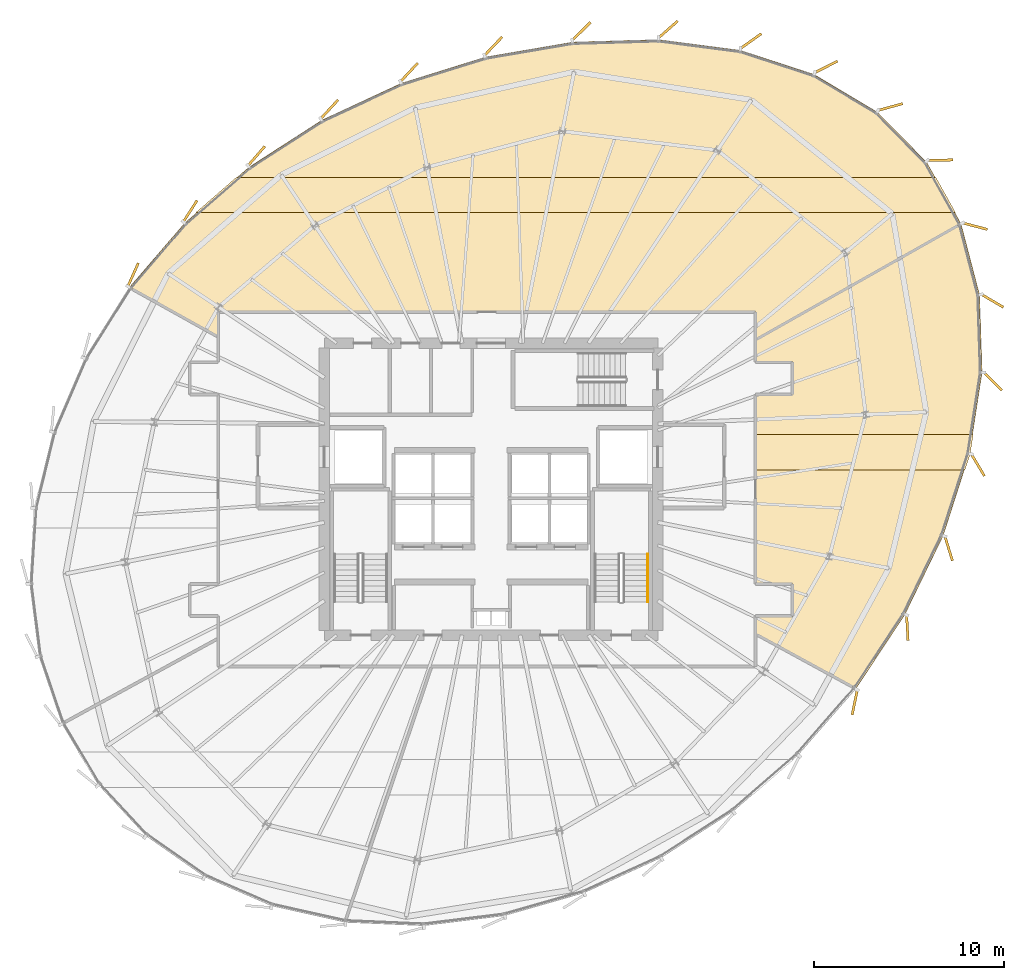
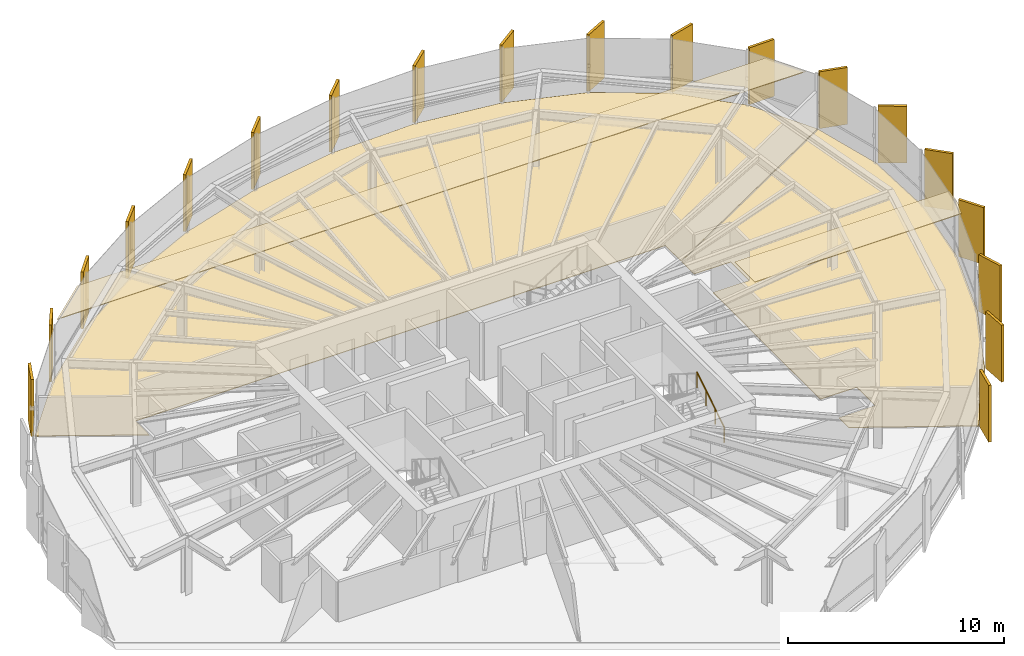
# One storey, part 34 of 34: 23 coverings, 1 railing.
"""IFC4 building model written with IfcOpenShell, lengths in metres."""

from ifc_helpers import new_model, si_unit, direction, frame, origin, origin_2d, place, context, subcontext, project, spatial, polyline, rectangle, circle, outline, extrude, source, transform, mapped, material, layer, layer_set, type_object, element, save


model = new_model("IFC4")

# Units and contexts
model_context = context("Model", 3, precision=1e-05, world=origin(), true_north=direction((0.0, 1.0)))
body_context = subcontext(model_context, "Body", "Model", "MODEL_VIEW")
ifc_project = project(units=[si_unit("LENGTHUNIT", "METRE"), si_unit("AREAUNIT", "SQUARE_METRE"), si_unit("VOLUMEUNIT", "CUBIC_METRE"), si_unit("PLANEANGLEUNIT", "RADIAN"), si_unit("MASSUNIT", "GRAM", prefix="KILO"), si_unit("THERMODYNAMICTEMPERATUREUNIT", "KELVIN")], contexts=[model_context])

# Site, building, storey
site_placement = place(None, origin())
site = spatial("IfcSite", under=ifc_project, at=site_placement, CompositionType="ELEMENT")
building_placement = place(site_placement, origin())
building = spatial("IfcBuilding", under=site, at=building_placement, Name="Kethvar Cultural Tower", CompositionType="ELEMENT")
storey_placement = place(building_placement, frame((0.0, 0.0, 183.39990234375)))
storey = spatial("IfcBuildingStorey", under=building, at=storey_placement, Name="L47", CompositionType="ELEMENT", Elevation=183.39990234375)

# Coverings
ifc_material_1 = material(Name="Acoustic Mineral Fibre Ceiling")
ifc_layer_1 = layer(ifc_material_1, 0.0400390625, Name="Acoustic Mineral Fibre Ceiling")
ifc_layer_set_1 = layer_set([ifc_layer_1], Name="Acoustic Mineral Fibre Ceiling (40 mm)")
covering_type_1 = type_object("IfcCoveringType", Name="CV-ACOUSTIC-CEIL", PredefinedType="CEILING", material=ifc_layer_set_1)
covering_1_placement = place(storey_placement, frame((0.0, 0.0, 3.0)))
element("IfcCovering", 1, at=covering_1_placement, inside=storey, type_object=covering_type_1, Name="L47 Room 03 Acoustic Ceiling Panel", PredefinedType="CEILING", context=body_context, shape_type="SweptSolid", body=[
    extrude(outline(polyline([(72.0791015625, 29.6611328125), (71.8095703125, 28.82275390625), (60.72998046875, 28.82275390625), (60.72998046875, 30.69287109375), (72.23828125, 30.69287109375), (72.0791015625, 29.6611328125)])), origin(), (0.0, 0.0, 1.0), 0.0400390625),
])
covering_2_placement = place(storey_placement, frame((0.0, 0.0, 3.0)))
element("IfcCovering", 2, at=covering_2_placement, inside=storey, type_object=covering_type_1, Name="L47 Room 04 Acoustic Ceiling Panel", PredefinedType="CEILING", context=body_context, shape_type="SweptSolid", body=[
    extrude(outline(polyline([(33.355712890625, 44.257080078125), (70.266357421875, 44.257080078125), (71.3115234375, 42.38720703125), (31.20458984375, 42.38720703125), (33.355712890625, 44.257080078125)])), origin(), (0.0, 0.0, 1.0), 0.0400390625),
])
ifc_material_2 = material(Name="Honed Warm Limestone", Category="masonry")
ifc_layer_2 = layer(ifc_material_2, 0.030029296875, Name="Honed Warm Limestone", Category="masonry")
ifc_layer_set_2 = layer_set([ifc_layer_2], Name="Honed Warm Limestone (30 mm)")
covering_type_2 = type_object("IfcCoveringType", Name="CV-STONE-FLOOR", PredefinedType="FLOORING", material=ifc_layer_set_2)
covering_3_placement = place(storey_placement, origin())
element("IfcCovering", 3, at=covering_3_placement, inside=storey, type_object=covering_type_2, Name="L47 Room 03 Floor Finish", PredefinedType="FLOORING", context=body_context, shape_type="SweptSolid", body=[
    extrude(outline(polyline([(72.56787109375, 38.059814453125), (72.702880859375, 33.962646484375), (72.039794921875, 29.668701171875), (70.648681640625, 25.347412109375), (68.617919921875, 21.164306640625), (66.048583984375, 17.283447265625), (60.77001953125, 20.173583984375), (60.77001953125, 21.080078125), (62.719970703125, 21.10009765625), (62.712646484375, 22.8154296875), (60.77001953125, 22.820068359375), (60.77001953125, 32.780029296875), (62.712646484375, 32.784423828125), (62.719970703125, 34.501953125), (60.77001953125, 34.52001953125), (60.77001953125, 35.664794921875), (71.598876953125, 41.779052734375), (72.56787109375, 38.059814453125)])), origin(), (0.0, 0.0, 1.0), 0.030029296875),
])
covering_4_placement = place(storey_placement, origin())
element("IfcCovering", 4, at=covering_4_placement, inside=storey, type_object=covering_type_2, Name="L47 Room 04 Floor Finish", PredefinedType="FLOORING", context=body_context, shape_type="SweptSolid", body=[
    extrude(outline(polyline([(30.63037109375, 41.8349609375), (34.0380859375, 44.79736328125), (37.86181640625, 47.264404296875), (42.054931640625, 49.213134765625), (46.514892578125, 50.602783203125), (51.098388671875, 51.385986328125), (55.63623046875, 51.51611328125), (59.944580078125, 50.955078125), (63.841552734375, 49.682373046875), (67.162841796875, 47.7021484375), (69.776611328125, 45.051513671875), (71.58447265625, 41.81689453125), (60.77001953125, 35.710693359375), (60.75, 37.169921875), (32.39990234375, 37.169921875), (32.3798828125, 35.86865234375), (27.729248046875, 38.46337890625), (30.63037109375, 41.8349609375)])), origin(), (0.0, 0.0, 1.0), 0.030029296875),
])

# Railing
ifc_material_3 = material(Name="Steel S355J2", Category="steel")
railing_type = type_object("IfcRailingType", Name="RL-STAIR-HANDRAIL", PredefinedType="HANDRAIL", material=ifc_material_3)
railing_placement = place(storey_placement, frame((55.06005859375, 21.85009765625, 0.175048828125)))
element("IfcRailing", 5, at=railing_placement, inside=storey, type_object=railing_type, Name="L47 ST-02 stair handrail 1", PredefinedType="HANDRAIL", context=body_context, shape_type="SweptSolid", body=[
    extrude(circle(Radius=0.02392578125, at=origin_2d()), frame((0.0, 0.0, 0.8759765625), z_axis=(0.0, 0.848007534815, 0.529984170421), x_axis=(-1.0, 0.0, 0.0)), (0.0, 0.0, 1.0), 2.9716796875),
    extrude(circle(Radius=0.02099609375, at=origin_2d()), origin(), (0.0, 0.0, 1.0), 0.851806640625),
    extrude(circle(Radius=0.02099609375, at=origin_2d()), frame((0.0, 0.840087890625, 0.52490234375)), (0.0, 0.0, 1.0), 0.851806640625),
    extrude(circle(Radius=0.02099609375, at=origin_2d()), frame((0.0, 1.679931640625, 1.050048828125)), (0.0, 0.0, 1.0), 0.851806640625),
    extrude(circle(Radius=0.02099609375, at=origin_2d()), frame((0.0, 2.52001953125, 1.574951171875)), (0.0, 0.0, 1.0), 0.851806640625),
])

# Coverings
ifc_material_4 = material(Name="Extruded Architectural Terracotta", Category="masonry")
ifc_layer_3 = layer(ifc_material_4, 0.135009765625, Name="Extruded Architectural Terracotta", Category="masonry")
ifc_layer_set_3 = layer_set([ifc_layer_3], Name="Extruded Architectural Terracotta (135 mm)")
covering_type_3 = type_object("IfcCoveringType", Name="Terracotta Facade Fin FIN-03", PredefinedType="CLADDING", material=ifc_layer_set_3)
shared_shape = source(origin(), body_context, "Body", "SweptSolid", [
    extrude(rectangle(XDim=1.35009765625, YDim=0.135009765625, at=origin_2d()), origin(), (0.0, 0.0, 1.0), 3.219970703125),
])
for number, where, z_axis, x_axis, name in (
    (6, (70.497314453125, 45.160888671875, 0.02001953125), (0.0, 0.0, 1.0), (0.999802066131, 0.019895440708, 0.0), "L47 Vertical Terracotta Fin 1.1"),
    (7, (67.8671875, 47.965576171875, 0.02001953125), (0.0, 0.0, 1.0), (0.96423431693, 0.265051281935, 0.0), "L47 Vertical Terracotta Fin 1.2"),
    (8, (64.4765625, 50.082275390625, 0.02001953125), (0.0, 0.0, 1.0), (0.89163954577, 0.452745977805, 0.0), "L47 Vertical Terracotta Fin 1.3"),
    (9, (60.5087890625, 51.446044921875, 0.02001953125), (0.0, 0.0, 1.0), (0.814216857742, 0.580560856904, 0.0), "L47 Vertical Terracotta Fin 1.4"),
    (10, (56.14208984375, 52.0615234375, 0.02001953125), (0.0, 0.0, 1.0), (0.751379314082, 0.659870537582, 0.0), "L47 Vertical Terracotta Fin 1.5"),
    (11, (51.5625, 51.9599609375, 0.02001953125), (0.0, 0.0, 1.0), (0.710308238555, 0.703890763003, 0.0), "L47 Vertical Terracotta Fin 1.6"),
    (12, (46.915283203125, 51.17529296875, 0.02001953125), (0.0, 0.0, 1.0), (0.690630005849, 0.723208265315, 0.0), "L47 Vertical Terracotta Fin 2.1"),
    (13, (42.47509765625, 49.797119140625, 0.02001953125), (0.0, 0.0, 1.0), (0.683146325917, 0.73028151927, 0.0), "L47 Vertical Terracotta Fin 2.2"),
    (14, (38.26611328125, 47.845458984375, 0.02001953125), (0.0, 0.0, 1.0), (0.677903094969, 0.735151272753, 0.0), "L47 Vertical Terracotta Fin 2.3"),
    (15, (34.416259765625, 45.38330078125, 0.02001953125), (0.0, 0.0, 1.0), (0.655927297328, 0.754824072629, 0.0), "L47 Vertical Terracotta Fin 2.4"),
    (16, (30.92041015625, 42.46923828125, 0.02001953125), (0.0, 0.0, 1.0), (0.540387183587, 0.841416479405, 0.0), "L47 Vertical Terracotta Fin 2.5"),
    (17, (27.906982421875, 39.1162109375, 0.02001953125), (0.0, 0.0, 1.0), (0.40960461889, 0.912263150732, 0.0), "L47 Vertical Terracotta Fin 2.6"),
    (18, (65.986572265625, 16.551513671875, 0.02001953125), (0.0, 0.0, 1.0), (-0.200223004021, -0.979750350171, 0.0), "L47 Vertical Terracotta Fin 5.6"),
    (19, (68.761962890625, 20.48046875, 0.02001953125), (0.0, 0.0, 1.0), (0.055821504993, -0.998440764182, 0.0), "L47 Vertical Terracotta Fin 6.1"),
    (20, (70.943115234375, 24.670654296875, 0.02001953125), (0.0, 0.0, 1.0), (0.295541318014, -0.955329958363, 0.0), "L47 Vertical Terracotta Fin 6.2"),
    (21, (72.484619140625, 29.072509765625, 0.02001953125), (0.0, 0.0, 1.0), (0.512792253721, -0.858512728225, 0.0), "L47 Vertical Terracotta Fin 6.3"),
    (22, (73.278564453125, 33.485107421875, 0.02001953125), (0.0, 0.0, 1.0), (0.704510355776, -0.709693707598, 0.0), "L47 Vertical Terracotta Fin 6.4"),
    (23, (73.247314453125, 37.7412109375, 0.02001953125), (0.0, 0.0, 1.0), (0.862513669207, -0.506033764121, 0.0), "L47 Vertical Terracotta Fin 6.5"),
    (24, (72.334716796875, 41.677734375, 0.02001953125), (0.0, 0.0, 1.0), (0.967577054629, -0.252576015004, 0.0), "L47 Vertical Terracotta Fin 6.6"),
):
    element("IfcCovering", number, at=place(storey_placement, frame(where, z_axis=z_axis, x_axis=x_axis)), inside=storey, type_object=covering_type_3, Name=name, PredefinedType="CLADDING", context=body_context, shape_type="MappedRepresentation", body=[
        mapped(shared_shape, transform((0.0, 0.0, 0.0), scale=1.0)),
    ])

save(model, "model.ifc")
